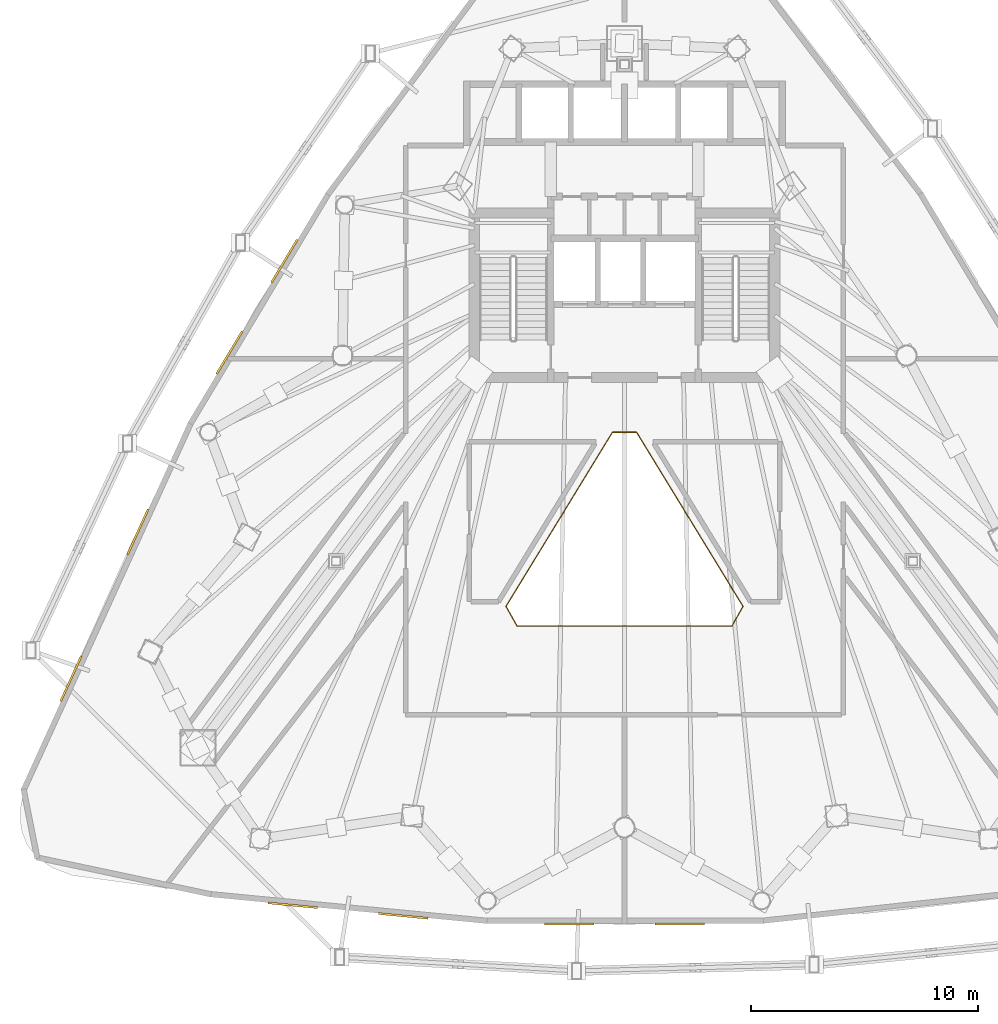
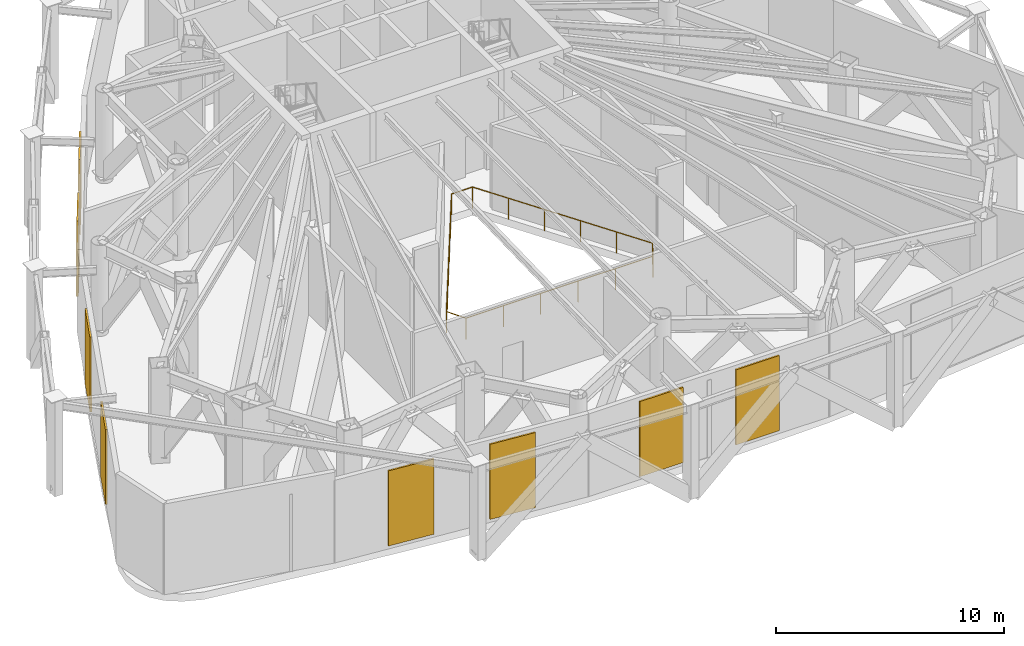
# One storey, part 8 of 10: 8 shading devices, 1 railing.
"""IFC4 building model written with IfcOpenShell, lengths in metres."""

from ifc_helpers import new_model, si_unit, direction, frame, origin, origin_2d, place, context, subcontext, project, spatial, rectangle, circle, extrude, material, layer, layer_set, type_object, element, save


model = new_model("IFC4")

# Units and contexts
model_context = context("Model", 3, precision=1e-05, world=origin(), true_north=direction((0.0, 1.0)))
body_context = subcontext(model_context, "Body", "Model", "MODEL_VIEW")
ifc_project = project(units=[si_unit("LENGTHUNIT", "METRE"), si_unit("AREAUNIT", "SQUARE_METRE"), si_unit("VOLUMEUNIT", "CUBIC_METRE"), si_unit("PLANEANGLEUNIT", "RADIAN"), si_unit("MASSUNIT", "GRAM", prefix="KILO")], contexts=[model_context])

# Site, building, storey
site_placement = place(None, origin())
site = spatial("IfcSite", under=ifc_project, at=site_placement, CompositionType="ELEMENT")
building_placement = place(site_placement, origin())
building = spatial("IfcBuilding", under=site, at=building_placement, Name="Orvanel Arch Residences", CompositionType="ELEMENT")
storey_placement = place(building_placement, frame((0.0, 0.0, 101.60009765625)))
storey = spatial("IfcBuildingStorey", under=building, at=storey_placement, Name="L28", CompositionType="ELEMENT", Elevation=101.60009765625)

# Shading devices
ifc_material_1 = material(Name="Insulated bronze-anodised aluminium spandrel panel", Category="aluminium")
ifc_layer = layer(ifc_material_1, 0.090087890625)
ifc_layer_set = layer_set([ifc_layer], Name="Insulated bronze-anodised aluminium spandrel panel")
shading_device_type = type_object("IfcShadingDeviceType", Name="LVR-PLT-90", PredefinedType="USERDEFINED", material=ifc_layer_set)
for number, where, z_axis, x_axis, name in (
    (1, (18.008056640625, 31.803955078125, 0.199951171875), (0.0, 0.0, 1.0), (-0.51503807491, -0.857167300702, 0.0), "L28 Mechanical Intake Louvre Panel F1-3"),
    (2, (15.5859375, 27.76611328125, 0.199951171875), (0.0, 0.0, 1.0), (-0.51503807491, -0.857167300702, 0.0), "L28 Mechanical Intake Louvre Panel F1-4"),
    (3, (11.551025390625, 19.87109375, 0.199951171875), (0.0, 0.0, 1.0), (-0.414693242656, -0.909961270877, 0.0), "L28 Mechanical Intake Louvre Panel F1-5"),
    (4, (8.60400390625, 13.40087890625, 0.199951171875), (0.0, 0.0, 1.0), (-0.414693242656, -0.909961270877, 0.0), "L28 Mechanical Intake Louvre Panel F1-6"),
    (5, (18.3759765625, 3.4130859375, 0.199951171875), (0.0, 0.0, 1.0), (0.995396198367, -0.09584575252, 0.0), "L28 Mechanical Intake Louvre Panel F2-1"),
    (6, (23.24609375, 2.944091796875, 0.199951171875), (0.0, 0.0, 1.0), (0.995396198367, -0.09584575252, 0.0), "L28 Mechanical Intake Louvre Panel F2-2"),
    (7, (30.56494140625, 2.591064453125, 0.199951171875), (0.0, 0.0, 1.0), (1.0, 0.0, 0.0), "L28 Mechanical Intake Louvre Panel F2-3"),
    (8, (35.43505859375, 2.591064453125, 0.199951171875), (0.0, 0.0, 1.0), (1.0, 0.0, 0.0), "L28 Mechanical Intake Louvre Panel F2-4"),
):
    element("IfcShadingDevice", number, at=place(storey_placement, frame(where, z_axis=z_axis, x_axis=x_axis)), inside=storey, type_object=shading_device_type, Name=name, ObjectType="LOUVRE", PredefinedType="USERDEFINED", context=body_context, shape_type="SweptSolid", body=[
        extrude(rectangle(XDim=2.199951171875, YDim=0.090087890625, at=origin_2d()), origin(), (0.0, 0.0, 1.0), 4.02392578125),
    ])

# Railing
ifc_material_2 = material(Name="Bronze-anodised aluminium AA6063-T6", Category="aluminium")
railing_type = type_object("IfcRailingType", Name="RL-ATR-1150", PredefinedType="BALUSTRADE", material=ifc_material_2)
railing_placement = place(storey_placement, frame((33.529052734375, 24.260009765625, 0.0)))
element("IfcRailing", 9, at=railing_placement, inside=storey, type_object=railing_type, Name="L28 Atrium Void Protective Balustrade", PredefinedType="BALUSTRADE", context=body_context, shape_type="SweptSolid", body=[
    extrude(circle(Radius=0.02392578125, at=origin_2d()), frame((-0.00146484375, 0.0, 1.1259765625), z_axis=(-1.0, 0.0, 0.0), x_axis=(0.0, -1.0, 0.0)), (0.0, 0.0, 1.0), 1.05517578125),
    extrude(circle(Radius=0.02392578125, at=origin_2d()), frame((-1.058837890625, -0.001220703125, 1.1259765625), z_axis=(-0.52159604478, -0.853192572676, 0.0), x_axis=(0.853192572676, -0.52159604478, 0.0)), (0.0, 0.0, 1.0), 8.990478515625),
    extrude(circle(Radius=0.02392578125, at=origin_2d()), frame((-5.748291015625, -7.67431640625, 1.1259765625), z_axis=(0.48989904846, -0.871779170615, 0.0), x_axis=(0.871779170615, 0.48989904846, 0.0)), (0.0, 0.0, 1.0), 0.9892578125),
    extrude(circle(Radius=0.02392578125, at=origin_2d()), frame((-5.261474609375, -8.5380859375, 1.1259765625), z_axis=(1.0, 0.0, 0.0), x_axis=(0.0, 1.0, 0.0)), (0.0, 0.0, 1.0), 9.46484375),
    extrude(circle(Radius=0.02392578125, at=origin_2d()), frame((4.20556640625, -8.536865234375, 1.1259765625), z_axis=(0.489150495833, 0.872199399465, 0.0), x_axis=(-0.872199399465, 0.489150495833, 0.0)), (0.0, 0.0, 1.0), 0.98876953125),
    extrude(circle(Radius=0.02392578125, at=origin_2d()), frame((4.689208984375, -7.671875, 1.1259765625), z_axis=(-0.521516993752, 0.853240895192, 0.0), x_axis=(-0.853240895192, -0.521516993752, 0.0)), (0.0, 0.0, 1.0), 8.989990234375),
    extrude(circle(Radius=0.02099609375, at=origin_2d()), origin(), (0.0, 0.0, 1.0), 1.099853515625),
    extrude(circle(Radius=0.02099609375, at=origin_2d()), frame((-1.05810546875, 0.0, 0.0)), (0.0, 0.0, 1.0), 1.099853515625),
    extrude(circle(Radius=0.02099609375, at=origin_2d()), frame((-1.996337890625, -1.53466796875, 0.0)), (0.0, 0.0, 1.0), 1.099853515625),
    extrude(circle(Radius=0.02099609375, at=origin_2d()), frame((-2.9345703125, -3.0693359375, 0.0)), (0.0, 0.0, 1.0), 1.099853515625),
    extrude(circle(Radius=0.02099609375, at=origin_2d()), frame((-3.87255859375, -4.603759765625, 0.0)), (0.0, 0.0, 1.0), 1.099853515625),
    extrude(circle(Radius=0.02099609375, at=origin_2d()), frame((-4.810791015625, -6.138427734375, 0.0)), (0.0, 0.0, 1.0), 1.099853515625),
    extrude(circle(Radius=0.02099609375, at=origin_2d()), frame((-5.7490234375, -7.673095703125, 0.0)), (0.0, 0.0, 1.0), 1.099853515625),
    extrude(circle(Radius=0.02099609375, at=origin_2d()), frame((-5.262939453125, -8.5380859375, 0.0)), (0.0, 0.0, 1.0), 1.099853515625),
    extrude(circle(Radius=0.02099609375, at=origin_2d()), frame((-3.369384765625, -8.5380859375, 0.0)), (0.0, 0.0, 1.0), 1.099853515625),
    extrude(circle(Radius=0.02099609375, at=origin_2d()), frame((-1.475830078125, -8.5380859375, 0.0)), (0.0, 0.0, 1.0), 1.099853515625),
    extrude(circle(Radius=0.02099609375, at=origin_2d()), frame((0.417724609375, -8.5380859375, 0.0)), (0.0, 0.0, 1.0), 1.099853515625),
    extrude(circle(Radius=0.02099609375, at=origin_2d()), frame((2.311279296875, -8.5380859375, 0.0)), (0.0, 0.0, 1.0), 1.099853515625),
    extrude(circle(Radius=0.02099609375, at=origin_2d()), frame((4.204833984375, -8.5380859375, 0.0)), (0.0, 0.0, 1.0), 1.099853515625),
    extrude(circle(Radius=0.02099609375, at=origin_2d()), frame((4.68994140625, -7.673095703125, 0.0)), (0.0, 0.0, 1.0), 1.099853515625),
    extrude(circle(Radius=0.02099609375, at=origin_2d()), frame((3.751953125, -6.138427734375, 0.0)), (0.0, 0.0, 1.0), 1.099853515625),
    extrude(circle(Radius=0.02099609375, at=origin_2d()), frame((2.81396484375, -4.603759765625, 0.0)), (0.0, 0.0, 1.0), 1.099853515625),
    extrude(circle(Radius=0.02099609375, at=origin_2d()), frame((1.8759765625, -3.0693359375, 0.0)), (0.0, 0.0, 1.0), 1.099853515625),
    extrude(circle(Radius=0.02099609375, at=origin_2d()), frame((0.93798828125, -1.53466796875, 0.0)), (0.0, 0.0, 1.0), 1.099853515625),
])

save(model, "model.ifc")
